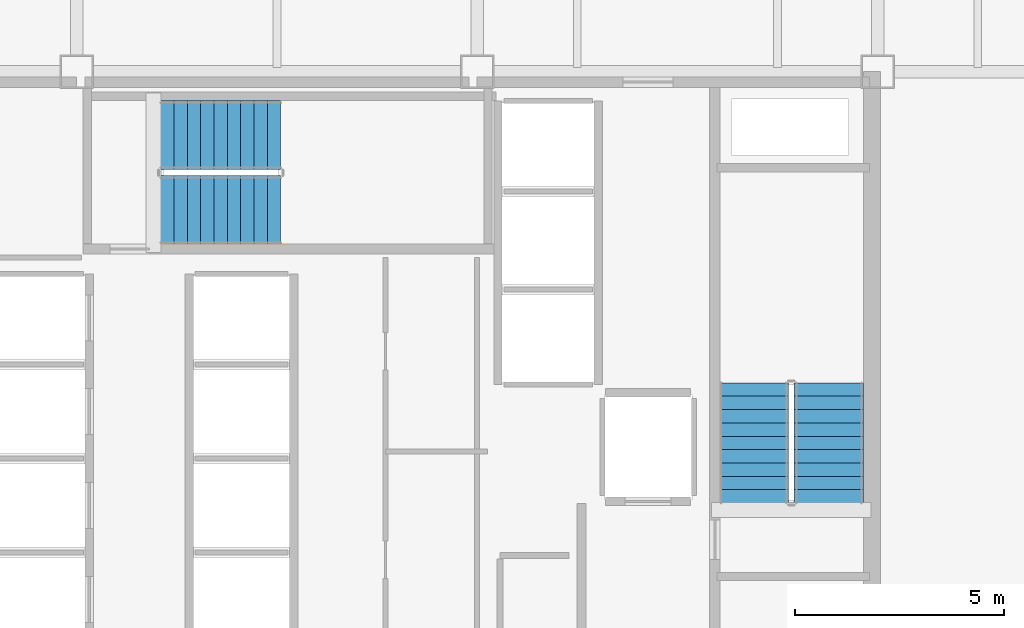
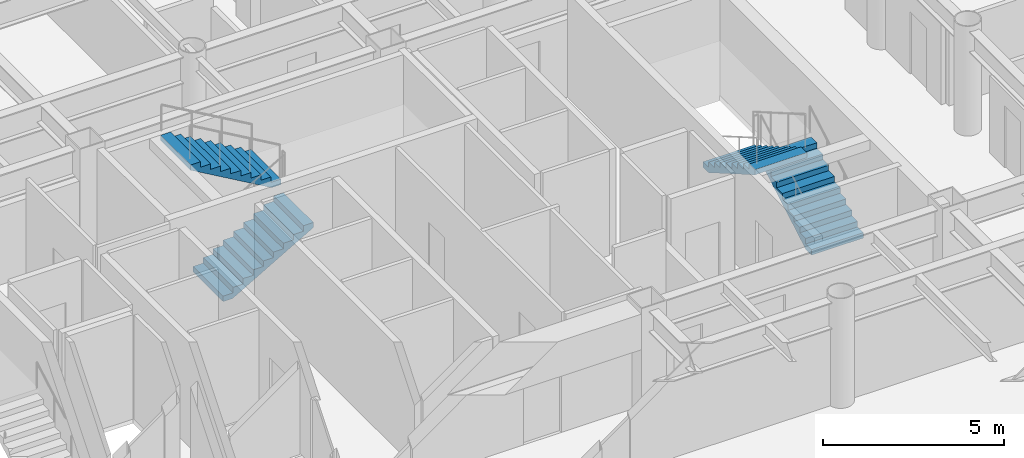
# One storey, part 18 of 19: 4 stair flights, 2 elements without a shape of their own.
"""IFC4 building model written with IfcOpenShell, lengths in metres."""

from ifc_helpers import new_model, si_unit, direction, frame, origin, place, context, subcontext, project, spatial, polyline, outline, extrude, material, type_object, element, aggregate, save


model = new_model("IFC4")

# Units and contexts
model_context = context("Model", 3, precision=1e-05, world=origin(), true_north=direction((0.0, 1.0)))
body_context = subcontext(model_context, "Body", "Model", "MODEL_VIEW")
ifc_project = project(units=[si_unit("LENGTHUNIT", "METRE"), si_unit("AREAUNIT", "SQUARE_METRE"), si_unit("VOLUMEUNIT", "CUBIC_METRE"), si_unit("PLANEANGLEUNIT", "RADIAN"), si_unit("MASSUNIT", "GRAM", prefix="KILO")], contexts=[model_context])

# Site, building, storey
site_placement = place(None, origin())
site = spatial("IfcSite", under=ifc_project, at=site_placement, CompositionType="ELEMENT")
building_placement = place(site_placement, origin())
building = spatial("IfcBuilding", under=site, at=building_placement, Name="Kallvorn Hotel Tower", CompositionType="ELEMENT")
storey_placement = place(building_placement, frame((0.0, 0.0, 63.300048828125)))
storey = spatial("IfcBuildingStorey", under=building, at=storey_placement, Name="L14", CompositionType="ELEMENT", Elevation=63.300048828125)

# Stair, stair flights
ifc_material_1 = material(Name="Precast concrete C40/50", Category="concrete")
stair_type = type_object("IfcStairType", Name="STR_CORE_DOGLEG", PredefinedType="HALF_TURN_STAIR", material=ifc_material_1)
stair_1_placement = place(storey_placement, origin())
stair_1 = element("IfcStair", 1, at=stair_1_placement, inside=storey, type_object=stair_type, Name="L14 Exit stair ST2", PredefinedType="HALF_TURN_STAIR")
ifc_material_2 = material(Name="Precast concrete C40/50", Category="concrete")
stair_flight_type = type_object("IfcStairFlightType", Name="FLT_CORE_1660", PredefinedType="STRAIGHT", material=ifc_material_2)
stair_flight_1_placement = place(storey_placement, frame((13.22998046875, -3.139892578125, 0.0), z_axis=(0.0, 0.0, 1.0), x_axis=(0.0, 1.0, 0.0)))
stair_flight_1 = element("IfcStairFlight", 2, at=stair_flight_1_placement, type_object=stair_flight_type, Name="ST2 flight 1", NumberOfRisers=10, NumberOfTreads=9, PredefinedType="STRAIGHT", RiserHeight=0.185, TreadLength=0.32, context=body_context, shape_type="SweptSolid", body=[
    extrude(outline(polyline([(0.0, 0.0), (0.0, 0.18505859375), (0.320068359375, 0.18505859375), (0.320068359375, 0.3701171875), (0.639892578125, 0.3701171875), (0.639892578125, 0.554931640625), (0.9599609375, 0.554931640625), (0.9599609375, 0.739990234375), (1.280029296875, 0.739990234375), (1.280029296875, 0.925048828125), (1.60009765625, 0.925048828125), (1.60009765625, 1.110107421875), (1.919921875, 1.110107421875), (1.919921875, 1.294921875), (2.239990234375, 1.294921875), (2.239990234375, 1.47998046875), (2.56005859375, 1.47998046875), (2.56005859375, 1.6650390625), (2.8798828125, 1.6650390625), (2.8798828125, 1.85009765625), (2.8798828125, 1.491943359375), (0.299560546875, 0.0), (0.0, 0.0)])), frame((0.0, 0.830078125, 0.0), z_axis=(0.0, -1.0, 0.0), x_axis=(1.0, 0.0, 0.0)), (0.0, 0.0, 1.0), 1.659912109375),
])
stair_flight_2_placement = place(storey_placement, frame((11.429931640625, -0.260009765625, 1.849853515625), z_axis=(0.0, 0.0, 1.0), x_axis=(0.0, -1.0, 0.0)))
stair_flight_2 = element("IfcStairFlight", 3, at=stair_flight_2_placement, type_object=stair_flight_type, Name="ST2 flight 2", NumberOfRisers=10, NumberOfTreads=9, PredefinedType="STRAIGHT", RiserHeight=0.185, TreadLength=0.32, context=body_context, shape_type="SweptSolid", body=[
    extrude(outline(polyline([(0.0, 0.0), (0.0, 0.18505859375), (0.320068359375, 0.18505859375), (0.320068359375, 0.3701171875), (0.639892578125, 0.3701171875), (0.639892578125, 0.554931640625), (0.9599609375, 0.554931640625), (0.9599609375, 0.739990234375), (1.280029296875, 0.739990234375), (1.280029296875, 0.925048828125), (1.60009765625, 0.925048828125), (1.60009765625, 1.110107421875), (1.919921875, 1.110107421875), (1.919921875, 1.294921875), (2.239990234375, 1.294921875), (2.239990234375, 1.47998046875), (2.56005859375, 1.47998046875), (2.56005859375, 1.6650390625), (2.8798828125, 1.6650390625), (2.8798828125, 1.85009765625), (2.8798828125, 1.491943359375), (0.299560546875, 0.0), (0.0, 0.0)])), frame((0.0, 0.830078125, 0.0), z_axis=(0.0, -1.0, 0.0), x_axis=(1.0, 0.0, 0.0)), (0.0, 0.0, 1.0), 1.659912109375),
])
aggregate(stair_1, [stair_flight_1, stair_flight_2])

stair_2_placement = place(storey_placement, origin())
stair_2 = element("IfcStair", 4, at=stair_2_placement, inside=storey, type_object=stair_type, Name="L14 Exit stair ST3", PredefinedType="HALF_TURN_STAIR")
stair_flight_3_placement = place(storey_placement, frame((-2.7900390625, 3.8798828125, 0.0), z_axis=(0.0, 0.0, 1.0), x_axis=(1.0, 0.0, 0.0)))
stair_flight_3 = element("IfcStairFlight", 5, at=stair_flight_3_placement, type_object=stair_flight_type, Name="ST3 flight 1", NumberOfRisers=10, NumberOfTreads=9, PredefinedType="STRAIGHT", RiserHeight=0.185, TreadLength=0.32, context=body_context, shape_type="SweptSolid", body=[
    extrude(outline(polyline([(0.0, 0.0), (0.0, 0.18505859375), (0.320068359375, 0.18505859375), (0.320068359375, 0.3701171875), (0.639892578125, 0.3701171875), (0.639892578125, 0.554931640625), (0.9599609375, 0.554931640625), (0.9599609375, 0.739990234375), (1.280029296875, 0.739990234375), (1.280029296875, 0.925048828125), (1.60009765625, 0.925048828125), (1.60009765625, 1.110107421875), (1.919921875, 1.110107421875), (1.919921875, 1.294921875), (2.239990234375, 1.294921875), (2.239990234375, 1.47998046875), (2.56005859375, 1.47998046875), (2.56005859375, 1.6650390625), (2.8798828125, 1.6650390625), (2.8798828125, 1.85009765625), (2.8798828125, 1.491943359375), (0.299560546875, 0.0), (0.0, 0.0)])), frame((0.0, 0.830078125, 0.0), z_axis=(0.0, -1.0, 0.0), x_axis=(1.0, 0.0, 0.0)), (0.0, 0.0, 1.0), 1.659912109375),
])
stair_flight_4_placement = place(storey_placement, frame((0.090087890625, 5.679931640625, 1.849853515625), z_axis=(0.0, 0.0, 1.0), x_axis=(-1.0, 0.0, 0.0)))
stair_flight_4 = element("IfcStairFlight", 6, at=stair_flight_4_placement, type_object=stair_flight_type, Name="ST3 flight 2", NumberOfRisers=10, NumberOfTreads=9, PredefinedType="STRAIGHT", RiserHeight=0.185, TreadLength=0.32, context=body_context, shape_type="SweptSolid", body=[
    extrude(outline(polyline([(0.0, 0.0), (0.0, 0.18505859375), (0.320068359375, 0.18505859375), (0.320068359375, 0.3701171875), (0.639892578125, 0.3701171875), (0.639892578125, 0.554931640625), (0.9599609375, 0.554931640625), (0.9599609375, 0.739990234375), (1.280029296875, 0.739990234375), (1.280029296875, 0.925048828125), (1.60009765625, 0.925048828125), (1.60009765625, 1.110107421875), (1.919921875, 1.110107421875), (1.919921875, 1.294921875), (2.239990234375, 1.294921875), (2.239990234375, 1.47998046875), (2.56005859375, 1.47998046875), (2.56005859375, 1.6650390625), (2.8798828125, 1.6650390625), (2.8798828125, 1.85009765625), (2.8798828125, 1.491943359375), (0.299560546875, 0.0), (0.0, 0.0)])), frame((0.0, 0.830078125, 0.0), z_axis=(0.0, -1.0, 0.0), x_axis=(1.0, 0.0, 0.0)), (0.0, 0.0, 1.0), 1.659912109375),
])
aggregate(stair_2, [stair_flight_3, stair_flight_4])

save(model, "model.ifc")
